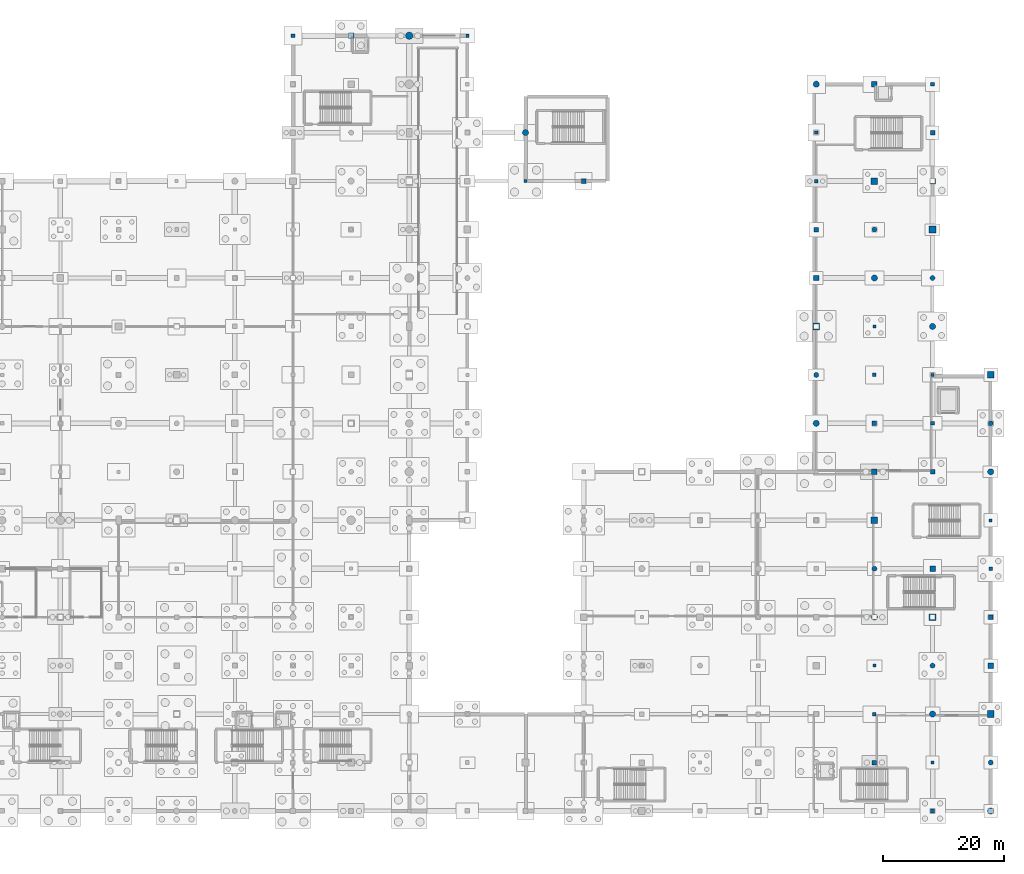
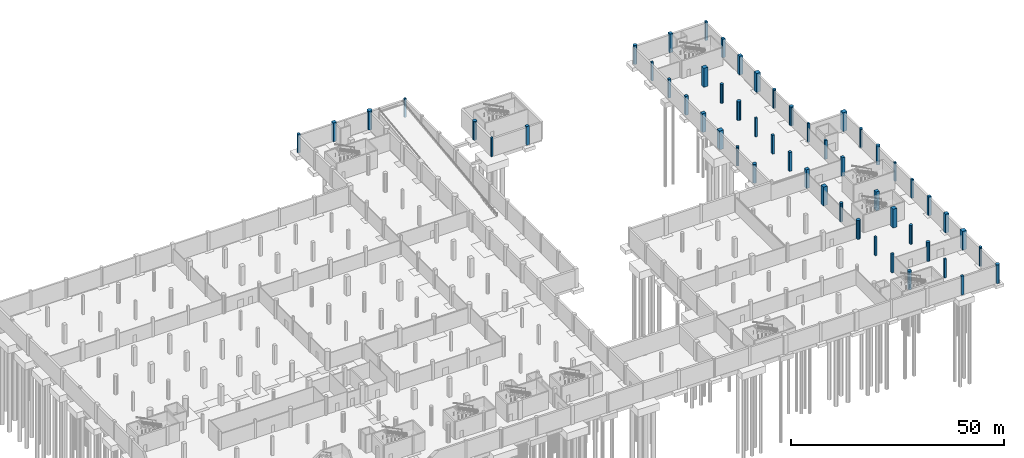
# One storey, part 15 of 44: 54 columns.
"""IFC4 building model written with IfcOpenShell, lengths in metres."""

from ifc_helpers import new_model, si_unit, direction, frame, origin, origin_2d, place, context, subcontext, project, spatial, rectangle, circle, extrude, material, material_profile, profile_set, type_object, element, save


model = new_model("IFC4")

# Units and contexts
model_context = context("Model", 3, precision=1e-05, world=origin(), true_north=direction((0.0, 1.0)))
body_context = subcontext(model_context, "Body", "Model", "MODEL_VIEW")
ifc_project = project(units=[si_unit("LENGTHUNIT", "METRE"), si_unit("AREAUNIT", "SQUARE_METRE"), si_unit("VOLUMEUNIT", "CUBIC_METRE"), si_unit("PLANEANGLEUNIT", "RADIAN"), si_unit("MASSUNIT", "GRAM", prefix="KILO")], contexts=[model_context])

# Site, building, storey
site_placement = place(None, origin())
site = spatial("IfcSite", under=ifc_project, at=site_placement, CompositionType="ELEMENT")
building_placement = place(site_placement, origin())
building = spatial("IfcBuilding", under=site, at=building_placement, Name="Danafjord Basin Convention Centre", CompositionType="ELEMENT")
storey_placement = place(building_placement, frame((0.0, 0.0, -5.39990234375)))
storey = spatial("IfcBuildingStorey", under=building, at=storey_placement, Name="B1", CompositionType="ELEMENT", Elevation=-5.39990234375)

# Columns
ifc_material_1 = material(Name="Concrete C45/55", Category="concrete")
ifc_material_profile_1 = material_profile(ifc_material_1, rectangle(XDim=1.10009765625, YDim=1.10009765625, at=origin_2d()), Name="RC 1100x1100")
ifc_profile_set_1 = profile_set([ifc_material_profile_1], Name="Concrete C45/55")
column_type_1 = type_object("IfcColumnType", Name="COL-C-RC1100", PredefinedType="COLUMN", material=ifc_profile_set_1)
for number, where, z_axis, x_axis, name in (
    (1, (182.39990234375, 88.0, 0.0), (0.0, 0.0, 1.0), (1.0, 0.0, 0.0), "B1 column C-RC1100 at (182.4, 88.0)"),
    (2, (192.0, 56.0, 0.0), (0.0, 0.0, 1.0), (1.0, 0.0, 0.0), "B1 column C-RC1100 at (192.0, 56.0)"),
    (3, (192.0, 112.0, 0.0), (0.0, 0.0, 1.0), (1.0, 0.0, 0.0), "B1 column C-RC1100 at (192.0, 112.0)"),
    (4, (201.60009765625, 40.0, 0.0), (0.0, 0.0, 1.0), (1.0, 0.0, 0.0), "B1 column C-RC1100 at (201.6, 40.0)"),
    (5, (201.60009765625, 104.0, 0.0), (0.0, 0.0, 1.0), (1.0, 0.0, 0.0), "B1 column C-RC1100 at (201.6, 104.0)"),
    (6, (211.199951171875, 24.0, 0.0), (0.0, 0.0, 1.0), (1.0, 0.0, 0.0), "B1 column C-RC1100 at (211.2, 24.0)"),
    (7, (211.199951171875, 80.0, 0.0), (0.0, 0.0, 1.0), (1.0, 0.0, 0.0), "B1 column C-RC1100 at (211.2, 80.0)"),
):
    element("IfcColumn", number, at=place(storey_placement, frame(where, z_axis=z_axis, x_axis=x_axis)), inside=storey, type_object=column_type_1, Name=name, PredefinedType="COLUMN", context=body_context, shape_type="SweptSolid", body=[
        extrude(rectangle(XDim=1.10009765625, YDim=1.10009765625, at=origin_2d()), origin(), (0.0, 0.0, 1.0), 5.39990234375),
    ])
ifc_material_2 = material(Name="Concrete C40/50", Category="concrete")
ifc_material_profile_2 = material_profile(ifc_material_2, rectangle(XDim=0.5, YDim=0.5, at=origin_2d()), Name="RC 500x500")
ifc_profile_set_2 = profile_set([ifc_material_profile_2], Name="Concrete C40/50")
column_type_2 = type_object("IfcColumnType", Name="COL-C-RC500", PredefinedType="COLUMN", material=ifc_profile_set_2)
for number, where, z_axis, x_axis, name in (
    (8, (124.800048828125, 136.0, 0.0), (0.0, 0.0, 1.0), (1.0, 0.0, 0.0), "B1 column C-RC500 at (124.8, 136.0)"),
    (9, (134.39990234375, 112.0, 0.0), (0.0, 0.0, 1.0), (1.0, 0.0, 0.0), "B1 column C-RC500 at (134.4, 112.0)"),
    (10, (182.39990234375, 120.0, 0.0), (0.0, 0.0, 1.0), (1.0, 0.0, 0.0), "B1 column C-RC500 at (182.4, 120.0)"),
    (11, (192.0, 32.0, 0.0), (0.0, 0.0, 1.0), (1.0, 0.0, 0.0), "B1 column C-RC500 at (192.0, 32.0)"),
    (12, (192.0, 88.0, 0.0), (0.0, 0.0, 1.0), (1.0, 0.0, 0.0), "B1 column C-RC500 at (192.0, 88.0)"),
    (13, (201.60009765625, 16.0, 0.0), (0.0, 0.0, 1.0), (1.0, 0.0, 0.0), "B1 column C-RC500 at (201.6, 16.0)"),
    (14, (201.60009765625, 80.0, 0.0), (0.0, 0.0, 1.0), (1.0, 0.0, 0.0), "B1 column C-RC500 at (201.6, 80.0)"),
    (15, (211.199951171875, 56.0, 0.0), (0.0, 0.0, 1.0), (1.0, 0.0, 0.0), "B1 column C-RC500 at (211.2, 56.0)"),
):
    element("IfcColumn", number, at=place(storey_placement, frame(where, z_axis=z_axis, x_axis=x_axis)), inside=storey, type_object=column_type_2, Name=name, PredefinedType="COLUMN", context=body_context, shape_type="SweptSolid", body=[
        extrude(rectangle(XDim=0.5, YDim=0.5, at=origin_2d()), origin(), (0.0, 0.0, 1.0), 5.39990234375),
    ])
ifc_material_profile_3 = material_profile(ifc_material_2, rectangle(XDim=0.60009765625, YDim=0.60009765625, at=origin_2d()), Name="RC 600x600")
ifc_profile_set_3 = profile_set([ifc_material_profile_3], Name="Concrete C40/50")
column_type_3 = type_object("IfcColumnType", Name="COL-C-RC600", PredefinedType="COLUMN", material=ifc_profile_set_3)
for number, where, z_axis, x_axis, name in (
    (16, (96.0, 136.0, 0.0), (0.0, 0.0, 1.0), (1.0, 0.0, 0.0), "B1 column C-RC600 at (96.0, 136.0)"),
    (17, (182.39990234375, 112.0, 0.0), (0.0, 0.0, 1.0), (1.0, 0.0, 0.0), "B1 column C-RC600 at (182.4, 112.0)"),
    (18, (192.0, 24.0, 0.0), (0.0, 0.0, 1.0), (1.0, 0.0, 0.0), "B1 column C-RC600 at (192.0, 24.0)"),
    (19, (192.0, 80.0, 0.0), (0.0, 0.0, 1.0), (1.0, 0.0, 0.0), "B1 column C-RC600 at (192.0, 80.0)"),
    (20, (201.60009765625, 8.0, 0.0), (0.0, 0.0, 1.0), (1.0, 0.0, 0.0), "B1 column C-RC600 at (201.6, 8.0)"),
    (21, (201.60009765625, 72.0, 0.0), (0.0, 0.0, 1.0), (1.0, 0.0, 0.0), "B1 column C-RC600 at (201.6, 72.0)"),
    (22, (201.60009765625, 128.0, 0.0), (0.0, 0.0, 1.0), (1.0, 0.0, 0.0), "B1 column C-RC600 at (201.6, 128.0)"),
    (23, (211.199951171875, 48.0, 0.0), (0.0, 0.0, 1.0), (1.0, 0.0, 0.0), "B1 column C-RC600 at (211.2, 48.0)"),
):
    element("IfcColumn", number, at=place(storey_placement, frame(where, z_axis=z_axis, x_axis=x_axis)), inside=storey, type_object=column_type_3, Name=name, PredefinedType="COLUMN", context=body_context, shape_type="SweptSolid", body=[
        extrude(rectangle(XDim=0.60009765625, YDim=0.60009765625, at=origin_2d()), origin(), (0.0, 0.0, 1.0), 5.39990234375),
    ])
ifc_material_profile_4 = material_profile(ifc_material_2, rectangle(XDim=0.75, YDim=0.75, at=origin_2d()), Name="RC 750x750")
ifc_profile_set_4 = profile_set([ifc_material_profile_4], Name="Concrete C40/50")
column_type_4 = type_object("IfcColumnType", Name="COL-C-RC750", PredefinedType="COLUMN", material=ifc_profile_set_4)
for number, where, z_axis, x_axis, name in (
    (24, (144.0, 112.0, 0.0), (0.0, 0.0, 1.0), (1.0, 0.0, 0.0), "B1 column C-RC750 at (144.0, 112.0)"),
    (25, (182.39990234375, 104.0, 0.0), (0.0, 0.0, 1.0), (1.0, 0.0, 0.0), "B1 column C-RC750 at (182.4, 104.0)"),
    (26, (192.0, 16.0, 0.0), (0.0, 0.0, 1.0), (1.0, 0.0, 0.0), "B1 column C-RC750 at (192.0, 16.0)"),
    (27, (192.0, 72.0, 0.0), (0.0, 0.0, 1.0), (1.0, 0.0, 0.0), "B1 column C-RC750 at (192.0, 72.0)"),
    (28, (201.60009765625, 64.0, 0.0), (0.0, 0.0, 1.0), (1.0, 0.0, 0.0), "B1 column C-RC750 at (201.6, 64.0)"),
    (29, (201.60009765625, 120.0, 0.0), (0.0, 0.0, 1.0), (1.0, 0.0, 0.0), "B1 column C-RC750 at (201.6, 120.0)"),
    (30, (211.199951171875, 40.0, 0.0), (0.0, 0.0, 1.0), (1.0, 0.0, 0.0), "B1 column C-RC750 at (211.2, 40.0)"),
):
    element("IfcColumn", number, at=place(storey_placement, frame(where, z_axis=z_axis, x_axis=x_axis)), inside=storey, type_object=column_type_4, Name=name, PredefinedType="COLUMN", context=body_context, shape_type="SweptSolid", body=[
        extrude(rectangle(XDim=0.75, YDim=0.75, at=origin_2d()), origin(), (0.0, 0.0, 1.0), 5.39990234375),
    ])
ifc_material_profile_5 = material_profile(ifc_material_1, rectangle(XDim=0.89990234375, YDim=0.89990234375, at=origin_2d()), Name="RC 900x900")
ifc_profile_set_5 = profile_set([ifc_material_profile_5], Name="Concrete C45/55")
column_type_5 = type_object("IfcColumnType", Name="COL-C-RC900", PredefinedType="COLUMN", material=ifc_profile_set_5)
for number, where, z_axis, x_axis, name in (
    (31, (105.60009765625, 136.0, 0.0), (0.0, 0.0, 1.0), (1.0, 0.0, 0.0), "B1 column C-RC900 at (105.6, 136.0)"),
    (32, (182.39990234375, 96.0, 0.0), (0.0, 0.0, 1.0), (1.0, 0.0, 0.0), "B1 column C-RC900 at (182.4, 96.0)"),
    (33, (192.0, 64.0, 0.0), (0.0, 0.0, 1.0), (1.0, 0.0, 0.0), "B1 column C-RC900 at (192.0, 64.0)"),
    (34, (192.0, 128.0, 0.0), (0.0, 0.0, 1.0), (1.0, 0.0, 0.0), "B1 column C-RC900 at (192.0, 128.0)"),
    (35, (201.60009765625, 48.0, 0.0), (0.0, 0.0, 1.0), (1.0, 0.0, 0.0), "B1 column C-RC900 at (201.6, 48.0)"),
    (36, (201.60009765625, 112.0, 0.0), (0.0, 0.0, 1.0), (1.0, 0.0, 0.0), "B1 column C-RC900 at (201.6, 112.0)"),
    (37, (211.199951171875, 32.0, 0.0), (0.0, 0.0, 1.0), (1.0, 0.0, 0.0), "B1 column C-RC900 at (211.2, 32.0)"),
):
    element("IfcColumn", number, at=place(storey_placement, frame(where, z_axis=z_axis, x_axis=x_axis)), inside=storey, type_object=column_type_5, Name=name, PredefinedType="COLUMN", context=body_context, shape_type="SweptSolid", body=[
        extrude(rectangle(XDim=0.89990234375, YDim=0.89990234375, at=origin_2d()), origin(), (0.0, 0.0, 1.0), 5.39990234375),
    ])
ifc_material_profile_6 = material_profile(ifc_material_1, circle(Radius=0.5, at=origin_2d()), Name="RC D1000")
ifc_profile_set_6 = profile_set([ifc_material_profile_6], Name="Concrete C45/55")
column_type_6 = type_object("IfcColumnType", Name="COL-C-RCD1000", PredefinedType="COLUMN", material=ifc_profile_set_6)
for number, where, z_axis, x_axis, name in (
    (38, (134.39990234375, 120.0, 0.0), (0.0, 0.0, 1.0), (1.0, 0.0, 0.0), "B1 column C-RCD1000 at (134.4, 120.0)"),
    (39, (182.39990234375, 72.0, 0.0), (0.0, 0.0, 1.0), (1.0, 0.0, 0.0), "B1 column C-RCD1000 at (182.4, 72.0)"),
    (40, (182.39990234375, 128.0, 0.0), (0.0, 0.0, 1.0), (1.0, 0.0, 0.0), "B1 column C-RCD1000 at (182.4, 128.0)"),
    (41, (192.0, 40.0, 0.0), (0.0, 0.0, 1.0), (1.0, 0.0, 0.0), "B1 column C-RCD1000 at (192.0, 40.0)"),
    (42, (192.0, 96.0, 0.0), (0.0, 0.0, 1.0), (1.0, 0.0, 0.0), "B1 column C-RCD1000 at (192.0, 96.0)"),
    (43, (201.60009765625, 24.0, 0.0), (0.0, 0.0, 1.0), (1.0, 0.0, 0.0), "B1 column C-RCD1000 at (201.6, 24.0)"),
    (44, (201.60009765625, 88.0, 0.0), (0.0, 0.0, 1.0), (1.0, 0.0, 0.0), "B1 column C-RCD1000 at (201.6, 88.0)"),
    (45, (211.199951171875, 8.0, 0.0), (0.0, 0.0, 1.0), (1.0, 0.0, 0.0), "B1 column C-RCD1000 at (211.2, 8.0)"),
    (46, (211.199951171875, 64.0, 0.0), (0.0, 0.0, 1.0), (1.0, 0.0, 0.0), "B1 column C-RCD1000 at (211.2, 64.0)"),
):
    element("IfcColumn", number, at=place(storey_placement, frame(where, z_axis=z_axis, x_axis=x_axis)), inside=storey, type_object=column_type_6, Name=name, PredefinedType="COLUMN", context=body_context, shape_type="SweptSolid", body=[
        extrude(circle(Radius=0.5, at=origin_2d()), origin(), (0.0, 0.0, 1.0), 5.39990234375),
    ])
ifc_material_3 = material(Name="Concrete C50/60", Category="concrete")
ifc_material_profile_7 = material_profile(ifc_material_3, circle(Radius=0.60009765625, at=origin_2d()), Name="RC D1200")
ifc_profile_set_7 = profile_set([ifc_material_profile_7], Name="Concrete C50/60")
column_type_7 = type_object("IfcColumnType", Name="COL-C-RCD1200", PredefinedType="COLUMN", material=ifc_profile_set_7)
column_placement = place(storey_placement, frame((115.199951171875, 136.0, 0.0), z_axis=(0.0, 0.0, 1.0), x_axis=(1.0, 0.0, 0.0)))
element("IfcColumn", 47, at=column_placement, inside=storey, type_object=column_type_7, Name="B1 column C-RCD1200 at (115.2, 136.0)", PredefinedType="COLUMN", context=body_context, shape_type="SweptSolid", body=[
    extrude(circle(Radius=0.60009765625, at=origin_2d()), origin(), (0.0, 0.0, 1.0), 5.39990234375),
])
ifc_material_profile_8 = material_profile(ifc_material_1, circle(Radius=0.39990234375, at=origin_2d()), Name="RC D800")
ifc_profile_set_8 = profile_set([ifc_material_profile_8], Name="Concrete C45/55")
column_type_8 = type_object("IfcColumnType", Name="COL-C-RCD800", PredefinedType="COLUMN", material=ifc_profile_set_8)
for number, where, z_axis, x_axis, name in (
    (48, (182.39990234375, 80.0, 0.0), (0.0, 0.0, 1.0), (1.0, 0.0, 0.0), "B1 column C-RCD800 at (182.4, 80.0)"),
    (49, (192.0, 48.0, 0.0), (0.0, 0.0, 1.0), (1.0, 0.0, 0.0), "B1 column C-RCD800 at (192.0, 48.0)"),
    (50, (192.0, 104.0, 0.0), (0.0, 0.0, 1.0), (1.0, 0.0, 0.0), "B1 column C-RCD800 at (192.0, 104.0)"),
    (51, (201.60009765625, 32.0, 0.0), (0.0, 0.0, 1.0), (1.0, 0.0, 0.0), "B1 column C-RCD800 at (201.6, 32.0)"),
    (52, (201.60009765625, 96.0, 0.0), (0.0, 0.0, 1.0), (1.0, 0.0, 0.0), "B1 column C-RCD800 at (201.6, 96.0)"),
    (53, (211.199951171875, 16.0, 0.0), (0.0, 0.0, 1.0), (1.0, 0.0, 0.0), "B1 column C-RCD800 at (211.2, 16.0)"),
    (54, (211.199951171875, 72.0, 0.0), (0.0, 0.0, 1.0), (1.0, 0.0, 0.0), "B1 column C-RCD800 at (211.2, 72.0)"),
):
    element("IfcColumn", number, at=place(storey_placement, frame(where, z_axis=z_axis, x_axis=x_axis)), inside=storey, type_object=column_type_8, Name=name, PredefinedType="COLUMN", context=body_context, shape_type="SweptSolid", body=[
        extrude(circle(Radius=0.39990234375, at=origin_2d()), origin(), (0.0, 0.0, 1.0), 5.39990234375),
    ])

save(model, "model.ifc")
